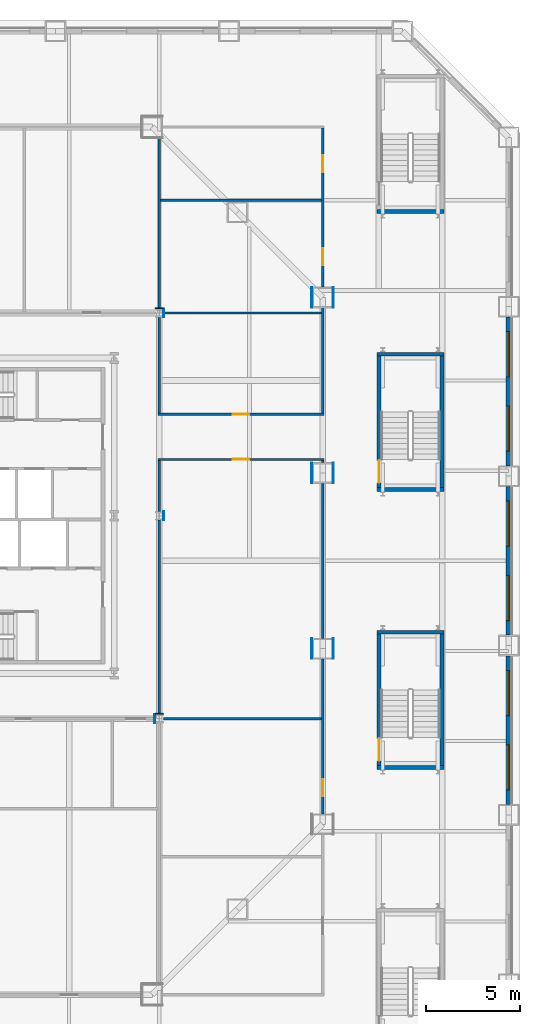
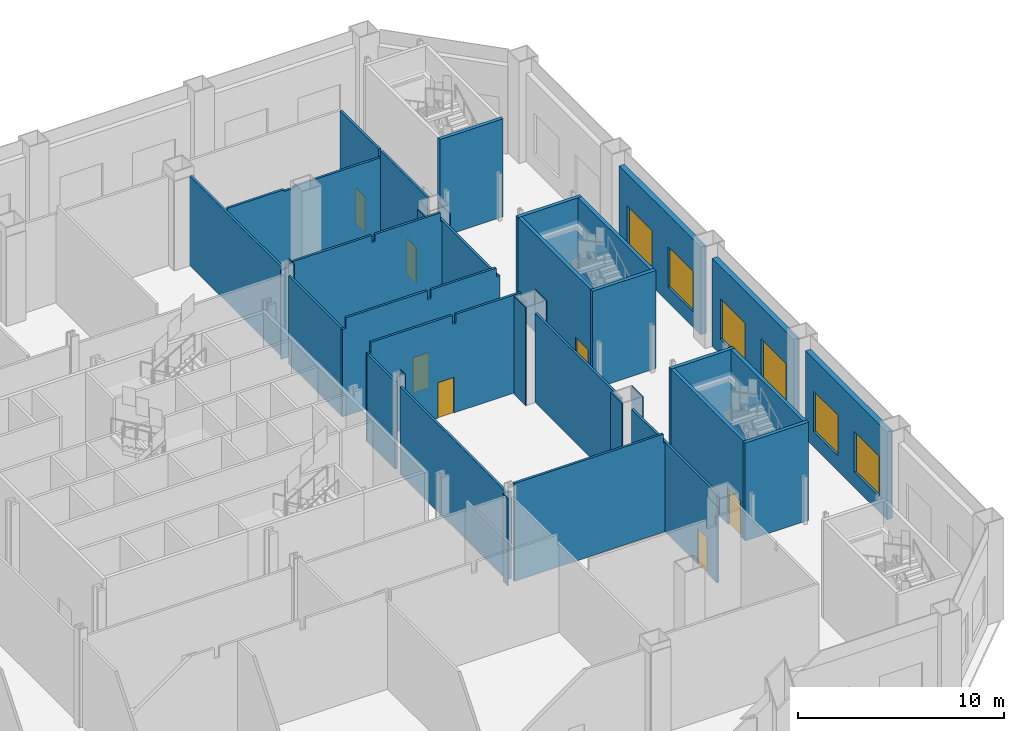
# One storey, part 21 of 31: 37 walls, 7 doors, 6 windows, 13 openings.
"""IFC4 building model written with IfcOpenShell, lengths in metres."""

from ifc_helpers import new_model, si_unit, direction, frame, frame_2d, origin, place, context, subcontext, project, spatial, polyline, rectangle, outline, extrude, material, layer, layer_set, type_object, element, fill, save


model = new_model("IFC4")

# Units and contexts
model_context = context("Model", 3, precision=1e-05, world=origin(), true_north=direction((0.0, 1.0)))
body_context = subcontext(model_context, "Body", "Model", "MODEL_VIEW")
ifc_project = project(units=[si_unit("LENGTHUNIT", "METRE"), si_unit("AREAUNIT", "SQUARE_METRE"), si_unit("VOLUMEUNIT", "CUBIC_METRE"), si_unit("PLANEANGLEUNIT", "RADIAN"), si_unit("MASSUNIT", "GRAM", prefix="KILO")], contexts=[model_context])

# Site, building, storey
site_placement = place(None, origin())
site = spatial("IfcSite", under=ifc_project, at=site_placement, CompositionType="ELEMENT")
building_placement = place(site_placement, origin())
building = spatial("IfcBuilding", under=site, at=building_placement, Name="Cairn Pilgrim Tower", CompositionType="ELEMENT")
storey_placement = place(building_placement, frame((0.0, 0.0, 15.0)))
storey = spatial("IfcBuildingStorey", under=building, at=storey_placement, Name="L02", CompositionType="ELEMENT", Elevation=15.0)

# Wall, opening, door
ifc_material_1 = material(Name="Gypsum partition")
ifc_layer_1 = layer(ifc_material_1, 0.125)
ifc_layer_set_1 = layer_set([ifc_layer_1], Name="PARTITION 125 DRYWALL EI 60")
wall_type_1 = type_object("IfcWallType", Name="PARTITION 125 DRYWALL EI 60", PredefinedType="PARTITIONING", material=ifc_layer_set_1)
wall_1_placement = place(storey_placement, frame((27.89990234375, -13.477294921875, 0.0), z_axis=(0.0, 0.0, 1.0), x_axis=(0.0, 1.0, 0.0)))
wall_1 = element("IfcWall", 1, at=wall_1_placement, inside=storey, type_object=wall_type_1, Name="PARTITION W022", PredefinedType="PARTITIONING", context=body_context, shape_type="SweptSolid", body=[
    extrude(rectangle(XDim=8.251708984375, YDim=0.125, at=frame_2d((4.1259765625, 0.0))), origin(), (0.0, 0.0, 1.0), 5.280029296875),
])
opening_1_placement = place(wall_1_placement, frame((0.9521484375, 0.0, 0.0)))
opening_1 = element("IfcOpeningElement", 2, at=opening_1_placement, cuts=wall_1, Name="Opening 0220", PredefinedType="OPENING", context=body_context, shape_type="SweptSolid", body=[
    extrude(rectangle(XDim=0.89990234375, YDim=2.10009765625, at=frame_2d((0.449951171875, 1.050048828125))), frame((0.0, 0.072509765625, 0.0), z_axis=(0.0, -1.0, 0.0), x_axis=(1.0, 0.0, 0.0)), (0.0, 0.0, 1.0), 0.14501953125),
])
ifc_material_2 = material(Name="Timber door leaf", Category="wood")
door_type_1 = type_object("IfcDoorType", Name="ROOM DOOR 900x2100 FD30S", OperationType="NOTDEFINED", PredefinedType="DOOR", material=ifc_material_2)
door_1_placement = place(opening_1_placement, frame((0.89990234375, 0.0, 0.0), z_axis=(0.0, 0.0, 1.0), x_axis=(-1.0, 0.0, 0.0)))
door_1 = element("IfcDoor", 3, at=door_1_placement, inside=storey, type_object=door_type_1, Name="DOOR 0220", OperationType="SINGLE_SWING_LEFT", OverallHeight=2.10009765625, OverallWidth=0.89990234375, PredefinedType="DOOR", context=body_context, shape_type="SweptSolid", body=[
    extrude(rectangle(XDim=0.89990234375, YDim=2.10009765625, at=frame_2d((0.449951171875, 1.050048828125))), frame((0.0, 0.02490234375, 0.0), z_axis=(0.0, -1.0, 0.0), x_axis=(1.0, 0.0, 0.0)), (0.0, 0.0, 1.0), 0.050048828125),
])
fill(opening_1, door_1)

# Walls
wall_2_placement = place(storey_placement, frame((19.412109375, -8.39990234375, 0.0), z_axis=(0.0, 0.0, 1.0), x_axis=(1.0, 0.0, 0.0)))
element("IfcWall", 4, at=wall_2_placement, inside=storey, type_object=wall_type_1, Name="PARTITION W031", PredefinedType="PARTITIONING", context=body_context, shape_type="SweptSolid", body=[
    extrude(outline(polyline([(0.0, 0.0), (8.42529296875, 0.0), (8.425537109375, 5.280029296875), (8.337890625, 5.280029296875), (8.3359375, 5.800048828125), (0.0, 5.800048828125), (0.0, 0.0)])), frame((0.0, 0.0625, 0.0), z_axis=(0.0, -1.0, 0.0), x_axis=(1.0, 0.0, 0.0)), (0.0, 0.0, 1.0), 0.125),
])
wall_3_placement = place(storey_placement, frame((19.199951171875, -8.1630859375, 0.0), z_axis=(0.0, 0.0, 1.0), x_axis=(0.0, 1.0, 0.0)))
element("IfcWall", 5, at=wall_3_placement, inside=storey, type_object=wall_type_1, Name="PARTITION W033", PredefinedType="PARTITIONING", context=body_context, shape_type="SweptSolid", body=[
    extrude(rectangle(XDim=10.326171875, YDim=0.125, at=frame_2d((5.1630859375, 0.0))), origin(), (0.0, 0.0, 1.0), 5.179931640625),
])
wall_4_placement = place(storey_placement, frame((27.89990234375, -4.125732421875, 0.0), z_axis=(0.0, 0.0, 1.0), x_axis=(0.0, 1.0, 0.0)))
element("IfcWall", 6, at=wall_4_placement, inside=storey, type_object=wall_type_1, Name="PARTITION W034", PredefinedType="PARTITIONING", context=body_context, shape_type="SweptSolid", body=[
    extrude(rectangle(XDim=8.25146484375, YDim=0.125, at=frame_2d((4.125732421875, 0.0))), origin(), (0.0, 0.0, 1.0), 5.280029296875),
])
wall_5_placement = place(storey_placement, frame((19.199951171875, 2.636962890625, 0.0), z_axis=(0.0, 0.0, 1.0), x_axis=(0.0, 1.0, 0.0)))
element("IfcWall", 7, at=wall_5_placement, inside=storey, type_object=wall_type_1, Name="PARTITION W037", PredefinedType="PARTITIONING", context=body_context, shape_type="SweptSolid", body=[
    extrude(rectangle(XDim=2.700439453125, YDim=0.125, at=frame_2d((1.35009765625, 0.0))), origin(), (0.0, 0.0, 1.0), 5.179931640625),
])
wall_6_placement = place(storey_placement, frame((27.89990234375, 5.2255859375, 0.0), z_axis=(0.0, 0.0, 1.0), x_axis=(0.0, 1.0, 0.0)))
element("IfcWall", 8, at=wall_6_placement, inside=storey, type_object=wall_type_1, Name="PARTITION W041", PredefinedType="PARTITIONING", context=body_context, shape_type="SweptSolid", body=[
    extrude(rectangle(XDim=0.11181640625, YDim=0.125, at=frame_2d((0.055908203125, 0.0))), origin(), (0.0, 0.0, 1.0), 5.280029296875),
])

# Wall, opening, door
wall_7_placement = place(storey_placement, frame((19.137451171875, 5.39990234375, 0.0), z_axis=(0.0, 0.0, 1.0), x_axis=(1.0, 0.0, 0.0)))
wall_7 = element("IfcWall", 9, at=wall_7_placement, inside=storey, type_object=wall_type_1, Name="PARTITION W044", PredefinedType="PARTITIONING", context=body_context, shape_type="SweptSolid", body=[
    extrude(outline(polyline([(0.0, 0.0), (8.824951171875, 0.0), (8.824951171875, 5.280029296875), (8.612548828125, 5.280029296875), (8.610595703125, 5.800048828125), (4.96240234375, 5.800048828125), (4.96044921875, 5.280029296875), (4.762451171875, 5.280029296875), (4.760498046875, 5.800048828125), (0.21240234375, 5.800048828125), (0.21044921875, 5.179931640625), (0.0, 5.179931640625), (0.0, 0.0)])), frame((0.0, 0.0625, 0.0), z_axis=(0.0, -1.0, 0.0), x_axis=(1.0, 0.0, 0.0)), (0.0, 0.0, 1.0), 0.125),
])
opening_2_placement = place(wall_7_placement, frame((3.96240234375, 0.0, 0.0)))
opening_2 = element("IfcOpeningElement", 10, at=opening_2_placement, cuts=wall_7, Name="Opening 0216", PredefinedType="OPENING", context=body_context, shape_type="SweptSolid", body=[
    extrude(rectangle(XDim=0.89990234375, YDim=2.10009765625, at=frame_2d((0.449951171875, 1.050048828125))), frame((0.0, 0.072509765625, 0.0), z_axis=(0.0, -1.0, 0.0), x_axis=(1.0, 0.0, 0.0)), (0.0, 0.0, 1.0), 0.14501953125),
])
door_2_placement = place(opening_2_placement, origin())
door_2 = element("IfcDoor", 11, at=door_2_placement, inside=storey, type_object=door_type_1, Name="DOOR 0216", OperationType="SINGLE_SWING_RIGHT", OverallHeight=2.10009765625, OverallWidth=0.89990234375, PredefinedType="DOOR", context=body_context, shape_type="SweptSolid", body=[
    extrude(rectangle(XDim=0.89990234375, YDim=2.10009765625, at=frame_2d((0.449951171875, 1.050048828125))), frame((0.0, 0.02490234375, 0.0), z_axis=(0.0, -1.0, 0.0), x_axis=(1.0, 0.0, 0.0)), (0.0, 0.0, 1.0), 0.050048828125),
])
fill(opening_2, door_2)

wall_8_placement = place(storey_placement, frame((19.137451171875, 7.800048828125, 0.0), z_axis=(0.0, 0.0, 1.0), x_axis=(1.0, 0.0, 0.0)))
wall_8 = element("IfcWall", 12, at=wall_8_placement, inside=storey, type_object=wall_type_1, Name="PARTITION W047", PredefinedType="PARTITIONING", context=body_context, shape_type="SweptSolid", body=[
    extrude(outline(polyline([(0.0, 0.0), (8.824951171875, 0.0), (8.824951171875, 5.280029296875), (8.612548828125, 5.280029296875), (8.610595703125, 5.800048828125), (4.96240234375, 5.800048828125), (4.96044921875, 5.280029296875), (4.762451171875, 5.280029296875), (4.760498046875, 5.800048828125), (0.21240234375, 5.800048828125), (0.21044921875, 5.179931640625), (0.0, 5.179931640625), (0.0, 0.0)])), frame((0.0, 0.0625, 0.0), z_axis=(0.0, -1.0, 0.0), x_axis=(1.0, 0.0, 0.0)), (0.0, 0.0, 1.0), 0.125),
])
opening_3_placement = place(wall_8_placement, frame((3.96240234375, 0.0, 0.0)))
opening_3 = element("IfcOpeningElement", 13, at=opening_3_placement, cuts=wall_8, Name="Opening 0215", PredefinedType="OPENING", context=body_context, shape_type="SweptSolid", body=[
    extrude(rectangle(XDim=0.89990234375, YDim=2.10009765625, at=frame_2d((0.449951171875, 1.050048828125))), frame((0.0, 0.072509765625, 0.0), z_axis=(0.0, -1.0, 0.0), x_axis=(1.0, 0.0, 0.0)), (0.0, 0.0, 1.0), 0.14501953125),
])
door_3_placement = place(opening_3_placement, frame((0.89990234375, 0.0, 0.0), z_axis=(0.0, 0.0, 1.0), x_axis=(-1.0, 0.0, 0.0)))
door_3 = element("IfcDoor", 14, at=door_3_placement, inside=storey, type_object=door_type_1, Name="DOOR 0215", OperationType="SINGLE_SWING_LEFT", OverallHeight=2.10009765625, OverallWidth=0.89990234375, PredefinedType="DOOR", context=body_context, shape_type="SweptSolid", body=[
    extrude(rectangle(XDim=0.89990234375, YDim=2.10009765625, at=frame_2d((0.449951171875, 1.050048828125))), frame((0.0, 0.02490234375, 0.0), z_axis=(0.0, -1.0, 0.0), x_axis=(1.0, 0.0, 0.0)), (0.0, 0.0, 1.0), 0.050048828125),
])
fill(opening_3, door_3)

# Walls
wall_9_placement = place(storey_placement, frame((19.199951171875, 7.862548828125, 0.0), z_axis=(0.0, 0.0, 1.0), x_axis=(0.0, 1.0, 0.0)))
element("IfcWall", 15, at=wall_9_placement, inside=storey, type_object=wall_type_1, Name="PARTITION W050", PredefinedType="PARTITIONING", context=body_context, shape_type="SweptSolid", body=[
    extrude(rectangle(XDim=5.100341796875, YDim=0.125, at=frame_2d((2.55029296875, 0.0))), origin(), (0.0, 0.0, 1.0), 5.179931640625),
])
wall_10_placement = place(storey_placement, frame((27.89990234375, 7.862548828125, 0.0), z_axis=(0.0, 0.0, 1.0), x_axis=(0.0, 1.0, 0.0)))
element("IfcWall", 16, at=wall_10_placement, inside=storey, type_object=wall_type_1, Name="PARTITION W051", PredefinedType="PARTITIONING", context=body_context, shape_type="SweptSolid", body=[
    extrude(rectangle(XDim=5.61474609375, YDim=0.125, at=frame_2d((2.807373046875, 0.0))), origin(), (0.0, 0.0, 1.0), 5.280029296875),
])
wall_11_placement = place(storey_placement, frame((19.412109375, 13.199951171875, 0.0), z_axis=(0.0, 0.0, 1.0), x_axis=(1.0, 0.0, 0.0)))
element("IfcWall", 17, at=wall_11_placement, inside=storey, type_object=wall_type_1, Name="PARTITION W055", PredefinedType="PARTITIONING", context=body_context, shape_type="SweptSolid", body=[
    extrude(outline(polyline([(0.0, 0.0), (8.42529296875, 0.0), (8.425537109375, 5.280029296875), (8.337890625, 5.280029296875), (8.3359375, 5.800048828125), (4.677978515625, 5.800048828125), (4.676025390625, 5.3798828125), (4.498046875, 5.3798828125), (4.49609375, 5.800048828125), (0.0, 5.800048828125), (0.0, 0.0)])), frame((0.0, 0.0625, 0.0), z_axis=(0.0, -1.0, 0.0), x_axis=(1.0, 0.0, 0.0)), (0.0, 0.0, 1.0), 0.125),
])
wall_12_placement = place(storey_placement, frame((19.199951171875, 13.43701171875, 0.0), z_axis=(0.0, 0.0, 1.0), x_axis=(0.0, 1.0, 0.0)))
element("IfcWall", 18, at=wall_12_placement, inside=storey, type_object=wall_type_1, Name="PARTITION W059", PredefinedType="PARTITIONING", context=body_context, shape_type="SweptSolid", body=[
    extrude(rectangle(XDim=9.113037109375, YDim=0.125, at=frame_2d((4.556640625, 0.0))), origin(), (0.0, 0.0, 1.0), 5.280029296875),
])

# Wall, openings, doors
wall_13_placement = place(storey_placement, frame((27.89990234375, 14.5771484375, 0.0), z_axis=(0.0, 0.0, 1.0), x_axis=(0.0, 1.0, 0.0)))
wall_13 = element("IfcWall", 19, at=wall_13_placement, inside=storey, type_object=wall_type_1, Name="PARTITION W060", PredefinedType="PARTITIONING", context=body_context, shape_type="SweptSolid", body=[
    extrude(outline(polyline([(0.0, 0.0), (8.46044921875, 0.0), (8.460205078125, 5.800048828125), (4.712890625, 5.800048828125), (4.710693359375, 5.3798828125), (4.53271484375, 5.3798828125), (4.53076171875, 5.800048828125), (0.0, 5.800048828125), (0.0, 0.0)])), frame((0.0, 0.0625, 0.0), z_axis=(0.0, -1.0, 0.0), x_axis=(1.0, 0.0, 0.0)), (0.0, 0.0, 1.0), 0.125),
])
opening_4_placement = place(wall_13_placement, frame((1.1728515625, 0.0, 0.0)))
opening_4 = element("IfcOpeningElement", 20, at=opening_4_placement, cuts=wall_13, Name="Opening 0217", PredefinedType="OPENING", context=body_context, shape_type="SweptSolid", body=[
    extrude(rectangle(XDim=0.89990234375, YDim=2.10009765625, at=frame_2d((0.449951171875, 1.050048828125))), frame((0.0, 0.072509765625, 0.0), z_axis=(0.0, -1.0, 0.0), x_axis=(1.0, 0.0, 0.0)), (0.0, 0.0, 1.0), 0.14501953125),
])
opening_5_placement = place(wall_13_placement, frame((6.122802734375, 0.0, 0.0)))
opening_5 = element("IfcOpeningElement", 21, at=opening_5_placement, cuts=wall_13, Name="Opening 0218", PredefinedType="OPENING", context=body_context, shape_type="SweptSolid", body=[
    extrude(rectangle(XDim=0.89990234375, YDim=2.10009765625, at=frame_2d((0.449951171875, 1.050048828125))), frame((0.0, 0.072509765625, 0.0), z_axis=(0.0, -1.0, 0.0), x_axis=(1.0, 0.0, 0.0)), (0.0, 0.0, 1.0), 0.14501953125),
])
door_4_placement = place(opening_4_placement, frame((0.89990234375, 0.0, 0.0), z_axis=(0.0, 0.0, 1.0), x_axis=(-1.0, 0.0, 0.0)))
door_4 = element("IfcDoor", 22, at=door_4_placement, inside=storey, type_object=door_type_1, Name="DOOR 0217", OperationType="SINGLE_SWING_LEFT", OverallHeight=2.10009765625, OverallWidth=0.89990234375, PredefinedType="DOOR", context=body_context, shape_type="SweptSolid", body=[
    extrude(rectangle(XDim=0.89990234375, YDim=2.10009765625, at=frame_2d((0.449951171875, 1.050048828125))), frame((0.0, 0.02490234375, 0.0), z_axis=(0.0, -1.0, 0.0), x_axis=(1.0, 0.0, 0.0)), (0.0, 0.0, 1.0), 0.050048828125),
])
fill(opening_4, door_4)
door_type_2 = type_object("IfcDoorType", Name="SERVICE DOOR 900x2100 FD30S", OperationType="NOTDEFINED", PredefinedType="DOOR", material=ifc_material_2)
door_5_placement = place(opening_5_placement, frame((0.89990234375, 0.0, 0.0), z_axis=(0.0, 0.0, 1.0), x_axis=(-1.0, 0.0, 0.0)))
door_5 = element("IfcDoor", 23, at=door_5_placement, inside=storey, type_object=door_type_2, Name="DOOR 0218", OperationType="SINGLE_SWING_RIGHT", OverallHeight=2.10009765625, OverallWidth=0.89990234375, PredefinedType="DOOR", context=body_context, shape_type="SweptSolid", body=[
    extrude(rectangle(XDim=0.89990234375, YDim=2.10009765625, at=frame_2d((0.449951171875, 1.050048828125))), frame((0.0, 0.02490234375, 0.0), z_axis=(0.0, -1.0, 0.0), x_axis=(1.0, 0.0, 0.0)), (0.0, 0.0, 1.0), 0.050048828125),
])
fill(opening_5, door_5)

# Walls
wall_14_placement = place(storey_placement, frame((19.262451171875, 19.199951171875, 0.0), z_axis=(0.0, 0.0, 1.0), x_axis=(1.0, 0.0, 0.0)))
element("IfcWall", 24, at=wall_14_placement, inside=storey, type_object=wall_type_1, Name="PARTITION W064", PredefinedType="PARTITIONING", context=body_context, shape_type="SweptSolid", body=[
    extrude(outline(polyline([(0.0, 0.0), (8.574951171875, 0.0), (8.574951171875, 5.3798828125), (3.7392578125, 5.3798828125), (3.7373046875, 5.280029296875), (3.190185546875, 5.280029296875), (3.18798828125, 5.3798828125), (0.03759765625, 5.3798828125), (0.035400390625, 5.280029296875), (0.0, 5.280029296875), (0.0, 0.0)])), frame((0.0, 0.0625, 0.0), z_axis=(0.0, -1.0, 0.0), x_axis=(1.0, 0.0, 0.0)), (0.0, 0.0, 1.0), 0.125),
])
ifc_layer_2 = layer(ifc_material_1, 0.050048828125)
ifc_layer_set_2 = layer_set([ifc_layer_2], Name="PARTITION 50 DRYWALL EI 60")
wall_type_2 = type_object("IfcWallType", Name="PARTITION 50 DRYWALL EI 60", PredefinedType="PARTITIONING", material=ifc_layer_set_2)
wall_15_placement = place(storey_placement, frame((18.962890625, -8.636962890625, 0.0), z_axis=(0.0, 0.0, 1.0), x_axis=(0.0, 1.0, 0.0)))
element("IfcWall", 25, at=wall_15_placement, inside=storey, type_object=wall_type_2, Name="COLUMN CASING WC15", PredefinedType="PARTITIONING", context=body_context, shape_type="SweptSolid", body=[
    extrude(rectangle(XDim=0.473876953125, YDim=0.050048828125, at=frame_2d((0.23681640625, 0.0))), origin(), (0.0, 0.0, 1.0), 5.179931640625),
])
for number, where, z_axis, x_axis, name in (
    (26, (27.324951171875, -5.2255859375, 0.0), (0.0, 0.0, 1.0), (0.0, 1.0, 0.0), "COLUMN CASING WC18"),
    (27, (28.47509765625, -5.2255859375, 0.0), (0.0, 0.0, 1.0), (0.0, 1.0, 0.0), "COLUMN CASING WC19"),
    (28, (27.324951171875, 4.125732421875, 0.0), (0.0, 0.0, 1.0), (0.0, 1.0, 0.0), "COLUMN CASING WC20"),
    (29, (28.47509765625, 4.125732421875, 0.0), (0.0, 0.0, 1.0), (0.0, 1.0, 0.0), "COLUMN CASING WC21"),
):
    element("IfcWall", number, at=place(storey_placement, frame(where, z_axis=z_axis, x_axis=x_axis)), inside=storey, type_object=wall_type_2, Name=name, PredefinedType="PARTITIONING", context=body_context, shape_type="SweptSolid", body=[
        extrude(rectangle(XDim=1.099853515625, YDim=0.050048828125, at=frame_2d((0.5498046875, 0.0))), origin(), (0.0, 0.0, 1.0), 5.800048828125),
    ])
wall_16_placement = place(storey_placement, frame((18.988037109375, -8.137939453125, 0.0), z_axis=(0.0, 0.0, 1.0), x_axis=(1.0, 0.0, 0.0)))
element("IfcWall", 30, at=wall_16_placement, inside=storey, type_object=wall_type_2, Name="COLUMN CASING WC26", PredefinedType="PARTITIONING", context=body_context, shape_type="SweptSolid", body=[
    extrude(rectangle(XDim=0.424072265625, YDim=0.050048828125, at=frame_2d((0.2119140625, 0.0))), origin(), (0.0, 0.0, 1.0), 5.179931640625),
])
wall_17_placement = place(storey_placement, frame((19.43701171875, 2.1630859375, 0.0), z_axis=(0.0, 0.0, 1.0), x_axis=(0.0, 1.0, 0.0)))
element("IfcWall", 31, at=wall_17_placement, inside=storey, type_object=wall_type_2, Name="COLUMN CASING WC27", PredefinedType="PARTITIONING", context=body_context, shape_type="SweptSolid", body=[
    extrude(rectangle(XDim=0.473876953125, YDim=0.050048828125, at=frame_2d((0.23681640625, 0.0))), origin(), (0.0, 0.0, 1.0), 5.800048828125),
])
wall_18_placement = place(storey_placement, frame((19.43701171875, 12.962890625, 0.0), z_axis=(0.0, 0.0, 1.0), x_axis=(0.0, 1.0, 0.0)))
element("IfcWall", 32, at=wall_18_placement, inside=storey, type_object=wall_type_2, Name="COLUMN CASING WC29", PredefinedType="PARTITIONING", context=body_context, shape_type="SweptSolid", body=[
    extrude(rectangle(XDim=0.47412109375, YDim=0.050048828125, at=frame_2d((0.237060546875, 0.0))), origin(), (0.0, 0.0, 1.0), 5.800048828125),
])
for number, where, z_axis, x_axis, name in (
    (33, (27.324951171875, 13.477294921875, 0.0), (0.0, 0.0, 1.0), (0.0, 1.0, 0.0), "COLUMN CASING WC30"),
    (34, (28.47509765625, 13.477294921875, 0.0), (0.0, 0.0, 1.0), (0.0, 1.0, 0.0), "COLUMN CASING WC31"),
):
    element("IfcWall", number, at=place(storey_placement, frame(where, z_axis=z_axis, x_axis=x_axis)), inside=storey, type_object=wall_type_2, Name=name, PredefinedType="PARTITIONING", context=body_context, shape_type="SweptSolid", body=[
        extrude(rectangle(XDim=1.099853515625, YDim=0.050048828125, at=frame_2d((0.5498046875, 0.0))), origin(), (0.0, 0.0, 1.0), 5.280029296875),
    ])
wall_19_placement = place(storey_placement, frame((18.988037109375, 13.4619140625, 0.0), z_axis=(0.0, 0.0, 1.0), x_axis=(1.0, 0.0, 0.0)))
element("IfcWall", 35, at=wall_19_placement, inside=storey, type_object=wall_type_2, Name="COLUMN CASING WC34", PredefinedType="PARTITIONING", context=body_context, shape_type="SweptSolid", body=[
    extrude(rectangle(XDim=0.424072265625, YDim=0.050048828125, at=frame_2d((0.2119140625, 0.0))), origin(), (0.0, 0.0, 1.0), 5.280029296875),
])
ifc_material_3 = material(Name="Concrete C35/45", Category="concrete")
ifc_layer_3 = layer(ifc_material_3, 0.199951171875)
ifc_layer_set_3 = layer_set([ifc_layer_3], Name="PODIUM STAIR WALL 200 EI 120")
wall_type_3 = type_object("IfcWallType", Name="PODIUM STAIR WALL 200 EI 120", PredefinedType="SOLIDWALL", material=ifc_layer_set_3)
wall_20_placement = place(storey_placement, frame((30.800048828125, -11.0, 0.0), z_axis=(0.0, 0.0, 1.0), x_axis=(1.0, 0.0, 0.0)))
element("IfcWall", 36, at=wall_20_placement, inside=storey, type_object=wall_type_3, Name="STAIR SHAFT WALL W026", PredefinedType="SOLIDWALL", context=body_context, shape_type="SweptSolid", body=[
    extrude(rectangle(XDim=3.550048828125, YDim=0.199951171875, at=frame_2d((1.77490234375, 0.0))), origin(), (0.0, 0.0, 1.0), 5.800048828125),
])

# Wall, opening, door
wall_21_placement = place(storey_placement, frame((30.89990234375, -10.89990234375, 0.0), z_axis=(0.0, 0.0, 1.0), x_axis=(0.0, 1.0, 0.0)))
wall_21 = element("IfcWall", 37, at=wall_21_placement, inside=storey, type_object=wall_type_3, Name="STAIR SHAFT WALL W027", PredefinedType="SOLIDWALL", context=body_context, shape_type="SweptSolid", body=[
    extrude(rectangle(XDim=7.0, YDim=0.199951171875, at=frame_2d((3.5, 0.0))), origin(), (0.0, 0.0, 1.0), 5.800048828125),
])
opening_6_placement = place(wall_21_placement, frame((0.25, 0.0, 0.0)))
opening_6 = element("IfcOpeningElement", 38, at=opening_6_placement, cuts=wall_21, Name="Opening 0226", PredefinedType="OPENING", context=body_context, shape_type="SweptSolid", body=[
    extrude(rectangle(XDim=1.199951171875, YDim=2.10009765625, at=frame_2d((0.60009765625, 1.050048828125))), frame((0.0, 0.10986328125, 0.0), z_axis=(0.0, -1.0, 0.0), x_axis=(1.0, 0.0, 0.0)), (0.0, 0.0, 1.0), 0.219970703125),
])
ifc_material_4 = material(Name="Steel-faced fire door leaf", Category="steel")
door_type_3 = type_object("IfcDoorType", Name="FIRE DOOR 1200x2100 FD60S", OperationType="NOTDEFINED", PredefinedType="DOOR", material=ifc_material_4)
door_6_placement = place(opening_6_placement, frame((1.199951171875, 0.0, 0.0), z_axis=(0.0, 0.0, 1.0), x_axis=(-1.0, 0.0, 0.0)))
door_6 = element("IfcDoor", 39, at=door_6_placement, inside=storey, type_object=door_type_3, Name="DOOR 0226", OperationType="SINGLE_SWING_LEFT", OverallHeight=2.10009765625, OverallWidth=1.199951171875, PredefinedType="DOOR", context=body_context, shape_type="SweptSolid", body=[
    extrude(rectangle(XDim=1.199951171875, YDim=2.10009765625, at=frame_2d((0.60009765625, 1.050048828125))), frame((0.0, 0.02490234375, 0.0), z_axis=(0.0, -1.0, 0.0), x_axis=(1.0, 0.0, 0.0)), (0.0, 0.0, 1.0), 0.050048828125),
])
fill(opening_6, door_6)

# Walls
wall_22_placement = place(storey_placement, frame((34.25, -10.89990234375, 0.0), z_axis=(0.0, 0.0, 1.0), x_axis=(0.0, 1.0, 0.0)))
element("IfcWall", 40, at=wall_22_placement, inside=storey, type_object=wall_type_3, Name="STAIR SHAFT WALL W028", PredefinedType="SOLIDWALL", context=body_context, shape_type="SweptSolid", body=[
    extrude(rectangle(XDim=7.0, YDim=0.199951171875, at=frame_2d((3.5, 0.0))), origin(), (0.0, 0.0, 1.0), 5.800048828125),
])
for number, where, z_axis, x_axis, name in (
    (41, (30.800048828125, -3.800048828125, 0.0), (0.0, 0.0, 1.0), (1.0, 0.0, 0.0), "STAIR SHAFT WALL W035"),
    (42, (30.800048828125, 3.800048828125, 0.0), (0.0, 0.0, 1.0), (1.0, 0.0, 0.0), "STAIR SHAFT WALL W038"),
):
    element("IfcWall", number, at=place(storey_placement, frame(where, z_axis=z_axis, x_axis=x_axis)), inside=storey, type_object=wall_type_3, Name=name, PredefinedType="SOLIDWALL", context=body_context, shape_type="SweptSolid", body=[
        extrude(rectangle(XDim=3.550048828125, YDim=0.199951171875, at=frame_2d((1.77490234375, 0.0))), origin(), (0.0, 0.0, 1.0), 5.800048828125),
    ])

# Wall, opening, door
wall_23_placement = place(storey_placement, frame((30.89990234375, 3.89990234375, 0.0), z_axis=(0.0, 0.0, 1.0), x_axis=(0.0, 1.0, 0.0)))
wall_23 = element("IfcWall", 43, at=wall_23_placement, inside=storey, type_object=wall_type_3, Name="STAIR SHAFT WALL W039", PredefinedType="SOLIDWALL", context=body_context, shape_type="SweptSolid", body=[
    extrude(rectangle(XDim=7.0, YDim=0.199951171875, at=frame_2d((3.5, 0.0))), origin(), (0.0, 0.0, 1.0), 5.800048828125),
])
opening_7_placement = place(wall_23_placement, frame((0.25, 0.0, 0.0)))
opening_7 = element("IfcOpeningElement", 44, at=opening_7_placement, cuts=wall_23, Name="Opening 0227", PredefinedType="OPENING", context=body_context, shape_type="SweptSolid", body=[
    extrude(rectangle(XDim=1.199951171875, YDim=2.10009765625, at=frame_2d((0.60009765625, 1.050048828125))), frame((0.0, 0.10986328125, 0.0), z_axis=(0.0, -1.0, 0.0), x_axis=(1.0, 0.0, 0.0)), (0.0, 0.0, 1.0), 0.219970703125),
])
door_7_placement = place(opening_7_placement, frame((1.199951171875, 0.0, 0.0), z_axis=(0.0, 0.0, 1.0), x_axis=(-1.0, 0.0, 0.0)))
door_7 = element("IfcDoor", 45, at=door_7_placement, inside=storey, type_object=door_type_3, Name="DOOR 0227", OperationType="SINGLE_SWING_RIGHT", OverallHeight=2.10009765625, OverallWidth=1.199951171875, PredefinedType="DOOR", context=body_context, shape_type="SweptSolid", body=[
    extrude(rectangle(XDim=1.199951171875, YDim=2.10009765625, at=frame_2d((0.60009765625, 1.050048828125))), frame((0.0, 0.02490234375, 0.0), z_axis=(0.0, -1.0, 0.0), x_axis=(1.0, 0.0, 0.0)), (0.0, 0.0, 1.0), 0.050048828125),
])
fill(opening_7, door_7)

# Walls
wall_24_placement = place(storey_placement, frame((34.25, 3.89990234375, 0.0), z_axis=(0.0, 0.0, 1.0), x_axis=(0.0, 1.0, 0.0)))
element("IfcWall", 46, at=wall_24_placement, inside=storey, type_object=wall_type_3, Name="STAIR SHAFT WALL W040", PredefinedType="SOLIDWALL", context=body_context, shape_type="SweptSolid", body=[
    extrude(rectangle(XDim=7.0, YDim=0.199951171875, at=frame_2d((3.5, 0.0))), origin(), (0.0, 0.0, 1.0), 5.800048828125),
])
for number, where, z_axis, x_axis, name in (
    (47, (30.800048828125, 11.0, 0.0), (0.0, 0.0, 1.0), (1.0, 0.0, 0.0), "STAIR SHAFT WALL W052"),
    (48, (30.800048828125, 18.60009765625, 0.0), (0.0, 0.0, 1.0), (1.0, 0.0, 0.0), "STAIR SHAFT WALL W061"),
):
    element("IfcWall", number, at=place(storey_placement, frame(where, z_axis=z_axis, x_axis=x_axis)), inside=storey, type_object=wall_type_3, Name=name, PredefinedType="SOLIDWALL", context=body_context, shape_type="SweptSolid", body=[
        extrude(rectangle(XDim=3.550048828125, YDim=0.199951171875, at=frame_2d((1.77490234375, 0.0))), origin(), (0.0, 0.0, 1.0), 5.800048828125),
    ])

# Wall, openings, windows
ifc_material_5 = material(Name="Concrete C35/45 backup wall with bronze aluminium cladding", Category="concrete")
ifc_layer_4 = layer(ifc_material_5, 0.300048828125)
ifc_layer_set_4 = layer_set([ifc_layer_4], Name="PODIUM WALL 300 BRONZE-CLAD")
wall_type_4 = type_object("IfcWallType", Name="PODIUM WALL 300 BRONZE-CLAD", PredefinedType="SOLIDWALL", material=ifc_layer_set_4)
wall_25_placement = place(storey_placement, frame((37.800048828125, -12.98095703125, 0.0), z_axis=(0.0, 0.0, 1.0), x_axis=(0.0, 1.0, 0.0)))
wall_25 = element("IfcWall", 49, at=wall_25_placement, inside=storey, type_object=wall_type_4, Name="PODIUM EXTERNAL WALL E2-E3", PredefinedType="SOLIDWALL", context=body_context, shape_type="SweptSolid", body=[
    extrude(rectangle(XDim=7.920654296875, YDim=0.300048828125, at=frame_2d((3.96044921875, 0.0))), origin(), (0.0, 0.0, 1.0), 5.199951171875),
])
opening_8_placement = place(wall_25_placement, frame((0.780029296875, 0.0, 0.89990234375)))
opening_8 = element("IfcOpeningElement", 50, at=opening_8_placement, cuts=wall_25, Name="Opening PW24", PredefinedType="OPENING", context=body_context, shape_type="SweptSolid", body=[
    extrude(rectangle(XDim=2.39990234375, YDim=2.39990234375, at=frame_2d((1.199951171875, 1.199951171875))), frame((0.0, 0.16015625, 0.0), z_axis=(0.0, -1.0, 0.0), x_axis=(1.0, 0.0, 0.0)), (0.0, 0.0, 1.0), 0.320068359375),
])
opening_9_placement = place(wall_25_placement, frame((4.740478515625, 0.0, 0.89990234375)))
opening_9 = element("IfcOpeningElement", 51, at=opening_9_placement, cuts=wall_25, Name="Opening PW24", PredefinedType="OPENING", context=body_context, shape_type="SweptSolid", body=[
    extrude(rectangle(XDim=2.39990234375, YDim=2.39990234375, at=frame_2d((1.199951171875, 1.199951171875))), frame((0.0, 0.16015625, 0.0), z_axis=(0.0, -1.0, 0.0), x_axis=(1.0, 0.0, 0.0)), (0.0, 0.0, 1.0), 0.320068359375),
])
ifc_material_6 = material(Name="Bronze anodised aluminium frame with tinted low-E glass", Category="aluminium")
window_type = type_object("IfcWindowType", Name="PODIUM FIXED WINDOW 2400x2400", PartitioningType="SINGLE_PANEL", PredefinedType="WINDOW", material=ifc_material_6)
window_1_placement = place(opening_8_placement, origin())
window_1 = element("IfcWindow", 52, at=window_1_placement, inside=storey, type_object=window_type, Name="PODIUM WINDOW", OverallHeight=2.39990234375, OverallWidth=2.39990234375, PartitioningType="SINGLE_PANEL", PredefinedType="WINDOW", context=body_context, shape_type="SweptSolid", body=[
    extrude(rectangle(XDim=2.39990234375, YDim=2.39990234375, at=frame_2d((1.199951171875, 1.199951171875))), frame((0.0, 0.030029296875, 0.0), z_axis=(0.0, -1.0, 0.0), x_axis=(1.0, 0.0, 0.0)), (0.0, 0.0, 1.0), 0.06005859375),
])
fill(opening_8, window_1)
window_2_placement = place(opening_9_placement, origin())
window_2 = element("IfcWindow", 53, at=window_2_placement, inside=storey, type_object=window_type, Name="PODIUM WINDOW", OverallHeight=2.39990234375, OverallWidth=2.39990234375, PartitioningType="SINGLE_PANEL", PredefinedType="WINDOW", context=body_context, shape_type="SweptSolid", body=[
    extrude(rectangle(XDim=2.39990234375, YDim=2.39990234375, at=frame_2d((1.199951171875, 1.199951171875))), frame((0.0, 0.030029296875, 0.0), z_axis=(0.0, -1.0, 0.0), x_axis=(1.0, 0.0, 0.0)), (0.0, 0.0, 1.0), 0.06005859375),
])
fill(opening_9, window_2)

wall_26_placement = place(storey_placement, frame((37.800048828125, -3.960205078125, 0.0), z_axis=(0.0, 0.0, 1.0), x_axis=(0.0, 1.0, 0.0)))
wall_26 = element("IfcWall", 54, at=wall_26_placement, inside=storey, type_object=wall_type_4, Name="PODIUM EXTERNAL WALL E3-E4", PredefinedType="SOLIDWALL", context=body_context, shape_type="SweptSolid", body=[
    extrude(rectangle(XDim=7.92041015625, YDim=0.300048828125, at=frame_2d((3.960205078125, 0.0))), origin(), (0.0, 0.0, 1.0), 5.199951171875),
])
opening_10_placement = place(wall_26_placement, frame((0.780029296875, 0.0, 0.89990234375)))
opening_10 = element("IfcOpeningElement", 55, at=opening_10_placement, cuts=wall_26, Name="Opening PW24", PredefinedType="OPENING", context=body_context, shape_type="SweptSolid", body=[
    extrude(rectangle(XDim=2.39990234375, YDim=2.39990234375, at=frame_2d((1.199951171875, 1.199951171875))), frame((0.0, 0.16015625, 0.0), z_axis=(0.0, -1.0, 0.0), x_axis=(1.0, 0.0, 0.0)), (0.0, 0.0, 1.0), 0.320068359375),
])
opening_11_placement = place(wall_26_placement, frame((4.740478515625, 0.0, 0.89990234375)))
opening_11 = element("IfcOpeningElement", 56, at=opening_11_placement, cuts=wall_26, Name="Opening PW24", PredefinedType="OPENING", context=body_context, shape_type="SweptSolid", body=[
    extrude(rectangle(XDim=2.39990234375, YDim=2.39990234375, at=frame_2d((1.199951171875, 1.199951171875))), frame((0.0, 0.16015625, 0.0), z_axis=(0.0, -1.0, 0.0), x_axis=(1.0, 0.0, 0.0)), (0.0, 0.0, 1.0), 0.320068359375),
])
window_3_placement = place(opening_10_placement, origin())
window_3 = element("IfcWindow", 57, at=window_3_placement, inside=storey, type_object=window_type, Name="PODIUM WINDOW", OverallHeight=2.39990234375, OverallWidth=2.39990234375, PartitioningType="SINGLE_PANEL", PredefinedType="WINDOW", context=body_context, shape_type="SweptSolid", body=[
    extrude(rectangle(XDim=2.39990234375, YDim=2.39990234375, at=frame_2d((1.199951171875, 1.199951171875))), frame((0.0, 0.030029296875, 0.0), z_axis=(0.0, -1.0, 0.0), x_axis=(1.0, 0.0, 0.0)), (0.0, 0.0, 1.0), 0.06005859375),
])
fill(opening_10, window_3)
window_4_placement = place(opening_11_placement, origin())
window_4 = element("IfcWindow", 58, at=window_4_placement, inside=storey, type_object=window_type, Name="PODIUM WINDOW", OverallHeight=2.39990234375, OverallWidth=2.39990234375, PartitioningType="SINGLE_PANEL", PredefinedType="WINDOW", context=body_context, shape_type="SweptSolid", body=[
    extrude(rectangle(XDim=2.39990234375, YDim=2.39990234375, at=frame_2d((1.199951171875, 1.199951171875))), frame((0.0, 0.030029296875, 0.0), z_axis=(0.0, -1.0, 0.0), x_axis=(1.0, 0.0, 0.0)), (0.0, 0.0, 1.0), 0.06005859375),
])
fill(opening_11, window_4)

wall_27_placement = place(storey_placement, frame((37.800048828125, 5.060302734375, 0.0), z_axis=(0.0, 0.0, 1.0), x_axis=(0.0, 1.0, 0.0)))
wall_27 = element("IfcWall", 59, at=wall_27_placement, inside=storey, type_object=wall_type_4, Name="PODIUM EXTERNAL WALL E4-E5", PredefinedType="SOLIDWALL", context=body_context, shape_type="SweptSolid", body=[
    extrude(rectangle(XDim=7.920654296875, YDim=0.300048828125, at=frame_2d((3.96044921875, 0.0))), origin(), (0.0, 0.0, 1.0), 5.199951171875),
])
opening_12_placement = place(wall_27_placement, frame((0.780029296875, 0.0, 0.89990234375)))
opening_12 = element("IfcOpeningElement", 60, at=opening_12_placement, cuts=wall_27, Name="Opening PW24", PredefinedType="OPENING", context=body_context, shape_type="SweptSolid", body=[
    extrude(rectangle(XDim=2.39990234375, YDim=2.39990234375, at=frame_2d((1.199951171875, 1.199951171875))), frame((0.0, 0.16015625, 0.0), z_axis=(0.0, -1.0, 0.0), x_axis=(1.0, 0.0, 0.0)), (0.0, 0.0, 1.0), 0.320068359375),
])
opening_13_placement = place(wall_27_placement, frame((4.740478515625, 0.0, 0.89990234375)))
opening_13 = element("IfcOpeningElement", 61, at=opening_13_placement, cuts=wall_27, Name="Opening PW24", PredefinedType="OPENING", context=body_context, shape_type="SweptSolid", body=[
    extrude(rectangle(XDim=2.39990234375, YDim=2.39990234375, at=frame_2d((1.199951171875, 1.199951171875))), frame((0.0, 0.16015625, 0.0), z_axis=(0.0, -1.0, 0.0), x_axis=(1.0, 0.0, 0.0)), (0.0, 0.0, 1.0), 0.320068359375),
])
window_5_placement = place(opening_12_placement, origin())
window_5 = element("IfcWindow", 62, at=window_5_placement, inside=storey, type_object=window_type, Name="PODIUM WINDOW", OverallHeight=2.39990234375, OverallWidth=2.39990234375, PartitioningType="SINGLE_PANEL", PredefinedType="WINDOW", context=body_context, shape_type="SweptSolid", body=[
    extrude(rectangle(XDim=2.39990234375, YDim=2.39990234375, at=frame_2d((1.199951171875, 1.199951171875))), frame((0.0, 0.030029296875, 0.0), z_axis=(0.0, -1.0, 0.0), x_axis=(1.0, 0.0, 0.0)), (0.0, 0.0, 1.0), 0.06005859375),
])
fill(opening_12, window_5)
window_6_placement = place(opening_13_placement, origin())
window_6 = element("IfcWindow", 63, at=window_6_placement, inside=storey, type_object=window_type, Name="PODIUM WINDOW", OverallHeight=2.39990234375, OverallWidth=2.39990234375, PartitioningType="SINGLE_PANEL", PredefinedType="WINDOW", context=body_context, shape_type="SweptSolid", body=[
    extrude(rectangle(XDim=2.39990234375, YDim=2.39990234375, at=frame_2d((1.199951171875, 1.199951171875))), frame((0.0, 0.030029296875, 0.0), z_axis=(0.0, -1.0, 0.0), x_axis=(1.0, 0.0, 0.0)), (0.0, 0.0, 1.0), 0.06005859375),
])
fill(opening_13, window_6)

save(model, "model.ifc")
